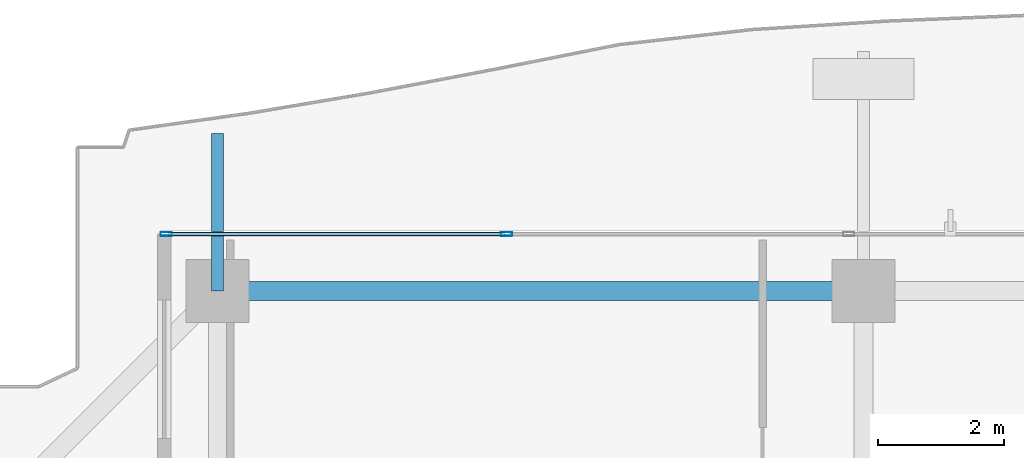
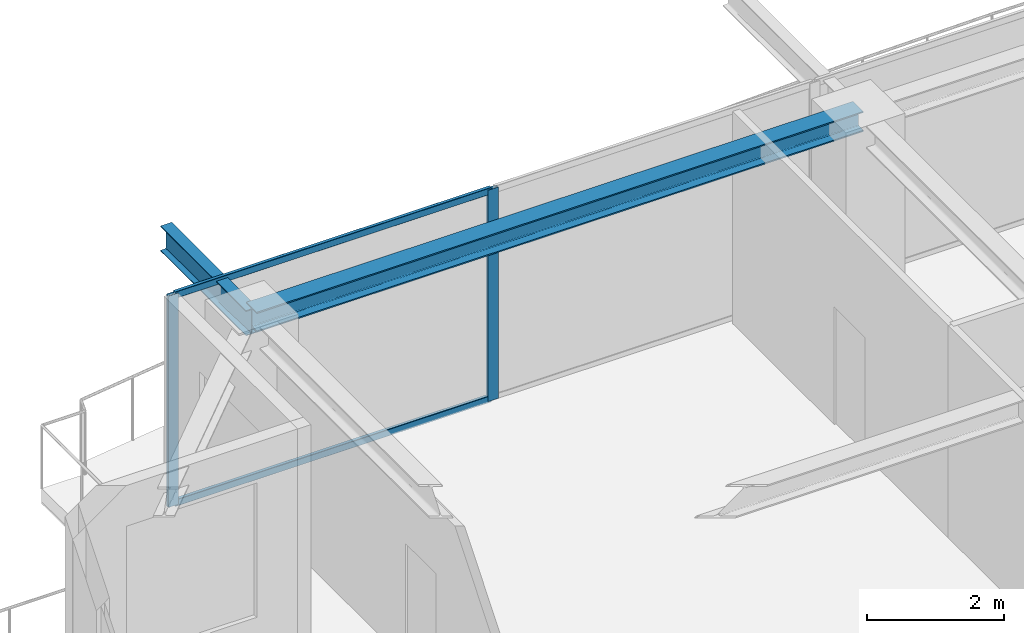
# One storey, part 21 of 40: 4 members, 2 beams, 1 element without a shape of its own.
"""IFC4 building model written with IfcOpenShell, lengths in metres."""

from ifc_helpers import new_model, si_unit, direction, frame, origin, origin_2d, place, context, subcontext, project, spatial, hollow_rectangle, i_section, extrude, source, transform, mapped, material, layer, layer_set, material_profile, profile_set, type_object, element, aggregate, save


model = new_model("IFC4")

# Units and contexts
model_context = context("Model", 3, precision=1e-05, world=origin(), true_north=direction((0.0, 1.0)))
body_context = subcontext(model_context, "Body", "Model", "MODEL_VIEW")
ifc_project = project(units=[si_unit("LENGTHUNIT", "METRE"), si_unit("AREAUNIT", "SQUARE_METRE"), si_unit("VOLUMEUNIT", "CUBIC_METRE"), si_unit("PLANEANGLEUNIT", "RADIAN"), si_unit("MASSUNIT", "GRAM", prefix="KILO")], contexts=[model_context])

# Site, building, storey
site_placement = place(None, origin())
site = spatial("IfcSite", under=ifc_project, at=site_placement, CompositionType="ELEMENT")
building_placement = place(site_placement, origin())
building = spatial("IfcBuilding", under=site, at=building_placement, Name="Serunith Strait Residences", CompositionType="ELEMENT")
storey_placement = place(building_placement, frame((0.0, 0.0, 313.699951171875)))
storey = spatial("IfcBuildingStorey", under=building, at=storey_placement, Name="L78", CompositionType="ELEMENT", Elevation=313.699951171875)

# Beams
ifc_material_1 = material(Name="Steel S355J2", Category="steel")
ifc_material_profile_1 = material_profile(ifc_material_1, i_section(OverallWidth=0.300048828125, OverallDepth=0.360107421875, WebThickness=0.012451171875, FlangeThickness=0.0224609375, FilletRadius=0.027099609375, at=origin_2d()), Name="HEB 360")
ifc_profile_set_1 = profile_set([ifc_material_profile_1], Name="Steel S355J2")
beam_type_1 = type_object("IfcBeamType", Name="BM-HEB360", PredefinedType="BEAM", material=ifc_profile_set_1)
shared_shape_1 = source(origin(), body_context, "Body", "SweptSolid", [
    extrude(i_section(OverallWidth=0.300048828125, OverallDepth=0.360107421875, WebThickness=0.012451171875, FlangeThickness=0.0224609375, FilletRadius=0.027099609375, at=origin_2d()), origin(), (0.0, 0.0, 1.0), 10.25),
])
beam_1_placement = place(storey_placement, frame((27.89990234375, 47.10009765625, 3.60693359375), z_axis=(-1.0, 0.0, 0.0), x_axis=(0.0, -1.0, 0.0)))
element("IfcBeam", 1, at=beam_1_placement, inside=storey, type_object=beam_type_1, Name="L78 Perimeter Ring Beam 11", PredefinedType="BEAM", context=body_context, shape_type="MappedRepresentation", body=[
    mapped(shared_shape_1, transform((0.0, 0.0, 0.0), scale=1.0)),
])
ifc_material_profile_2 = material_profile(ifc_material_1, i_section(OverallWidth=0.18994140625, OverallDepth=0.449951171875, WebThickness=0.009521484375, FlangeThickness=0.0146484375, FilletRadius=0.02099609375, at=origin_2d()), Name="IPE 450")
ifc_profile_set_2 = profile_set([ifc_material_profile_2], Name="Steel S355J2")
beam_type_2 = type_object("IfcBeamType", Name="BM-IPE450", PredefinedType="JOIST", material=ifc_profile_set_2)
shared_shape_2 = source(origin(), body_context, "Body", "SweptSolid", [
    extrude(i_section(OverallWidth=0.18994140625, OverallDepth=0.449951171875, WebThickness=0.009521484375, FlangeThickness=0.0146484375, FilletRadius=0.02099609375, at=origin_2d()), origin(), (0.0, 0.0, 1.0), 2.500244140625),
])
beam_2_placement = place(storey_placement, frame((17.64990234375, 47.10009765625, 3.531982421875), z_axis=(0.0, 1.0, 0.0), x_axis=(-1.0, 0.0, 0.0)))
element("IfcBeam", 2, at=beam_2_placement, inside=storey, type_object=beam_type_2, Name="L79 Cantilevered Balcony Rib TC-N1", PredefinedType="JOIST", context=body_context, shape_type="MappedRepresentation", body=[
    mapped(shared_shape_2, transform((0.0, 0.0, 0.0), scale=1.0)),
])

# Curtain wall, members
ifc_material_2 = material(Name="Brushed Stainless-Silver Aluminium", Category="aluminium")
ifc_layer = layer(ifc_material_2, 0.199951171875, Name="Brushed Stainless-Silver Aluminium")
ifc_layer_set = layer_set([ifc_layer], Name="Brushed Stainless-Silver Aluminium")
curtain_wall_type = type_object("IfcCurtainWallType", Name="CW-SYS5", PredefinedType="NOTDEFINED", material=ifc_layer_set)
curtain_wall_placement = place(storey_placement, origin())
curtain_wall = element("IfcCurtainWall", 3, at=curtain_wall_placement, inside=storey, type_object=curtain_wall_type, Name="L78 N Unitised Fritted Curtain Wall", PredefinedType="NOTDEFINED")
ifc_material_profile_3 = material_profile(ifc_material_2, hollow_rectangle(XDim=0.06494140625, YDim=0.179931640625, WallThickness=0.00341796875, InnerFilletRadius=0.00537109375, OuterFilletRadius=0.0087890625, at=origin_2d()), Name="ALU 180x65x3.5")
ifc_profile_set_3 = profile_set([ifc_material_profile_3], Name="Brushed Stainless-Silver Aluminium")
member_type_1 = type_object("IfcMemberType", Name="CW-SYS5-MULL", PredefinedType="MULLION", material=ifc_profile_set_3)
shared_shape_3 = source(origin(), body_context, "Body", "SweptSolid", [
    extrude(hollow_rectangle(XDim=0.06494140625, YDim=0.179931640625, WallThickness=0.00341796875, InnerFilletRadius=0.00537109375, OuterFilletRadius=0.0087890625, at=origin_2d()), origin(), (0.0, 0.0, 1.0), 3.775146484375),
])
member_1_placement = place(storey_placement, frame((22.2333984375, 48.0, 0.0), z_axis=(0.0, 0.0, 1.0), x_axis=(0.0, -1.0, 0.0)))
member_1 = element("IfcMember", 4, at=member_1_placement, type_object=member_type_1, Name="CW-5 mullion 3", PredefinedType="MULLION", context=body_context, shape_type="MappedRepresentation", body=[
    mapped(shared_shape_3, transform((0.0, 0.0, 0.0), scale=1.0)),
])
member_2_placement = place(storey_placement, frame((16.83251953125, 48.0, 0.0), z_axis=(0.0, 0.0, 1.0), x_axis=(0.0, -1.0, 0.0)))
member_2 = element("IfcMember", 5, at=member_2_placement, type_object=member_type_1, Name="CW-5 mullion 4", PredefinedType="MULLION", context=body_context, shape_type="MappedRepresentation", body=[
    mapped(shared_shape_3, transform((0.0, 0.0, 0.0), scale=1.0)),
])
ifc_material_profile_4 = material_profile(ifc_material_2, hollow_rectangle(XDim=0.06005859375, YDim=0.1201171875, WallThickness=0.00341796875, InnerFilletRadius=0.00537109375, OuterFilletRadius=0.0087890625, at=origin_2d()), Name="ALU 120x60x3.5")
ifc_profile_set_4 = profile_set([ifc_material_profile_4], Name="Brushed Stainless-Silver Aluminium")
member_type_2 = type_object("IfcMemberType", Name="CW-SYS5-TRAN", PredefinedType="USERDEFINED", material=ifc_profile_set_4)
shared_shape_4 = source(origin(), body_context, "Body", "SweptSolid", [
    extrude(hollow_rectangle(XDim=0.06005859375, YDim=0.1201171875, WallThickness=0.00341796875, InnerFilletRadius=0.00537109375, OuterFilletRadius=0.0087890625, at=origin_2d()), origin(), (0.0, 0.0, 1.0), 5.3359375),
])
member_3_placement = place(storey_placement, frame((22.200927734375, 48.0, 0.030029296875), z_axis=(-1.0, 0.0, 0.0), x_axis=(0.0, -1.0, 0.0)))
member_3 = element("IfcMember", 6, at=member_3_placement, type_object=member_type_2, Name="CW-5 transom 3.1", ObjectType="TRANSOM", PredefinedType="USERDEFINED", context=body_context, shape_type="MappedRepresentation", body=[
    mapped(shared_shape_4, transform((0.0, 0.0, 0.0), scale=1.0)),
])
member_4_placement = place(storey_placement, frame((22.200927734375, 48.0, 3.7451171875), z_axis=(-1.0, 0.0, 0.0), x_axis=(0.0, -1.0, 0.0)))
member_4 = element("IfcMember", 7, at=member_4_placement, type_object=member_type_2, Name="CW-5 transom 3.2", ObjectType="TRANSOM", PredefinedType="USERDEFINED", context=body_context, shape_type="MappedRepresentation", body=[
    mapped(shared_shape_4, transform((0.0, 0.0, 0.0), scale=1.0)),
])
aggregate(curtain_wall, [member_1, member_2, member_3, member_4])

save(model, "model.ifc")
